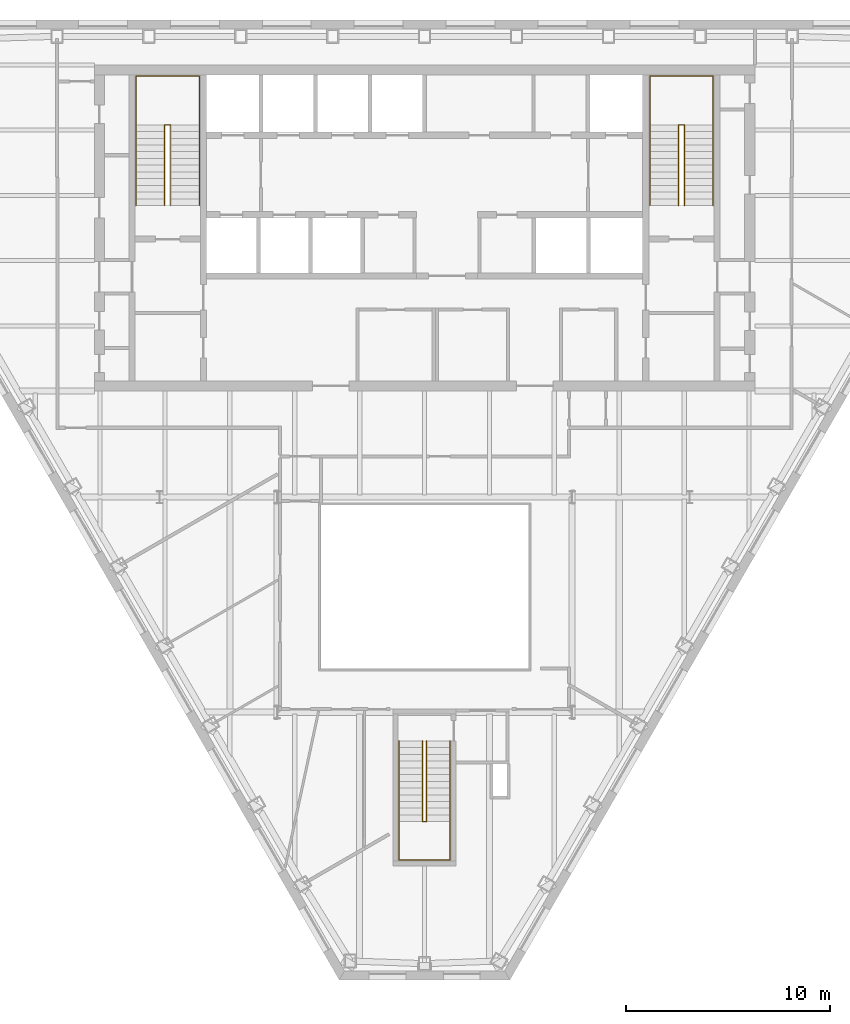
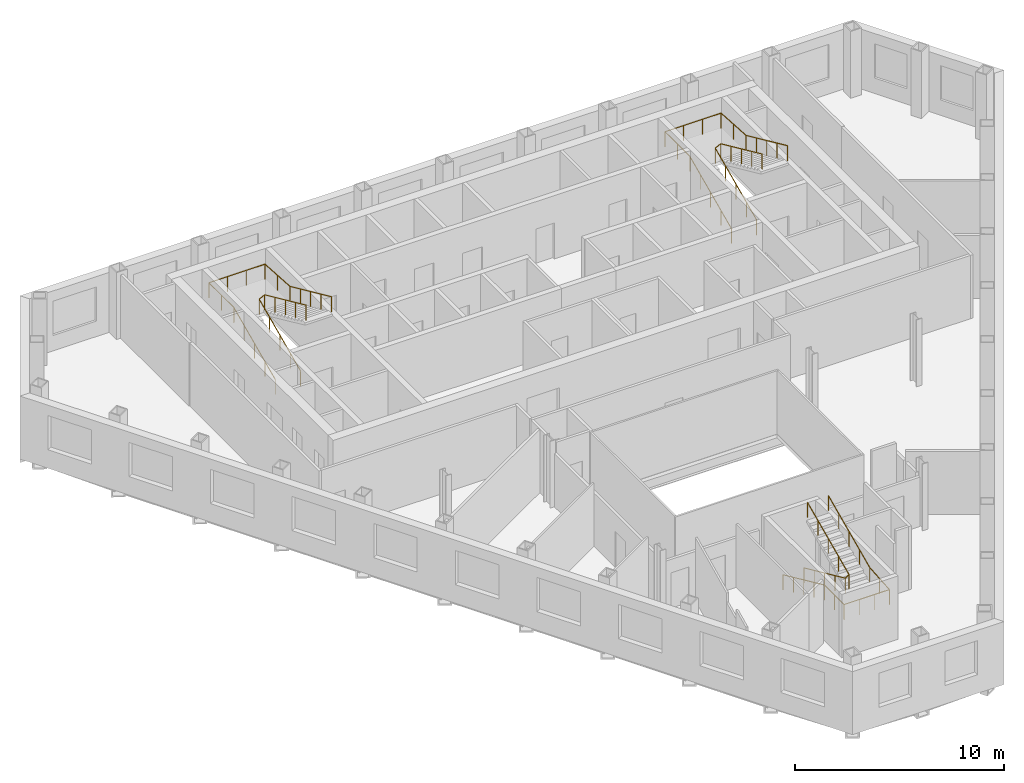
# One storey, part 11 of 11: 6 railings.
"""IFC4 building model written with IfcOpenShell, lengths in metres."""

from ifc_helpers import new_model, si_unit, direction, frame, origin, origin_2d, place, context, subcontext, project, spatial, circle, extrude, material, type_object, element, save


model = new_model("IFC4")

# Units and contexts
model_context = context("Model", 3, precision=1e-05, world=origin(), true_north=direction((0.0, 1.0)))
body_context = subcontext(model_context, "Body", "Model", "MODEL_VIEW")
ifc_project = project(units=[si_unit("LENGTHUNIT", "METRE"), si_unit("AREAUNIT", "SQUARE_METRE"), si_unit("VOLUMEUNIT", "CUBIC_METRE"), si_unit("PLANEANGLEUNIT", "RADIAN"), si_unit("MASSUNIT", "GRAM", prefix="KILO")], contexts=[model_context])

# Site, building, storey
site_placement = place(None, origin())
site = spatial("IfcSite", under=ifc_project, at=site_placement, CompositionType="ELEMENT")
building_placement = place(site_placement, origin())
building = spatial("IfcBuilding", under=site, at=building_placement, Name="Njiva Tower", CompositionType="ELEMENT")
storey_placement = place(building_placement, frame((0.0, 0.0, 163.2)))
storey = spatial("IfcBuildingStorey", under=building, at=storey_placement, Name="L35", CompositionType="ELEMENT", Elevation=163.2)

# Railings
ifc_material = material(Name="Stainless steel", Category="steel")
railing_type = type_object("IfcRailingType", Name="RL1 Stair handrail 900", PredefinedType="HANDRAIL", material=ifc_material)
railing_1_placement = place(storey_placement, frame((-14.15, 11.1, 0.15)))
element("IfcRailing", 1, at=railing_1_placement, inside=storey, type_object=railing_type, Name="Stair A handrail", PredefinedType="HANDRAIL", context=body_context, shape_type="SweptSolid", body=[
    extrude(circle(Radius=0.024, at=origin_2d()), frame((0.0, 0.0, 0.876), z_axis=(0.0, 0.910366477463, 0.413802944301), x_axis=(-1.0, 0.0, 0.0)), (0.0, 0.0, 1.0), 4.3499),
    extrude(circle(Radius=0.024, at=origin_2d()), frame((0.0, 3.96, 2.676), z_axis=(0.0, 1.0, 0.0), x_axis=(-1.0, 0.0, 0.0)), (0.0, 0.0, 1.0), 2.39),
    extrude(circle(Radius=0.024, at=origin_2d()), frame((0.0, 6.35, 2.676), z_axis=(1.0, 0.0, 0.0), x_axis=(0.0, 1.0, 0.0)), (0.0, 0.0, 1.0), 3.1),
    extrude(circle(Radius=0.024, at=origin_2d()), frame((3.1, 6.35, 2.676), z_axis=(0.0, -0.998036296047, 0.062638261258), x_axis=(1.0, 0.0, 0.0)), (0.0, 0.0, 1.0), 2.3947),
    extrude(circle(Radius=0.024, at=origin_2d()), frame((3.1, 3.96, 2.826), z_axis=(0.0, -0.910366477463, 0.413802944301), x_axis=(1.0, 0.0, 0.0)), (0.0, 0.0, 1.0), 4.3499),
    extrude(circle(Radius=0.021, at=origin_2d()), origin(), (0.0, 0.0, 1.0), 0.852),
    extrude(circle(Radius=0.021, at=origin_2d()), frame((0.0, 0.99, 0.45)), (0.0, 0.0, 1.0), 0.852),
    extrude(circle(Radius=0.021, at=origin_2d()), frame((0.0, 1.98, 0.9)), (0.0, 0.0, 1.0), 0.852),
    extrude(circle(Radius=0.021, at=origin_2d()), frame((0.0, 2.97, 1.35)), (0.0, 0.0, 1.0), 0.852),
    extrude(circle(Radius=0.021, at=origin_2d()), frame((0.0, 3.96, 1.8)), (0.0, 0.0, 1.0), 0.852),
    extrude(circle(Radius=0.021, at=origin_2d()), frame((0.0, 5.155, 1.8)), (0.0, 0.0, 1.0), 0.852),
    extrude(circle(Radius=0.021, at=origin_2d()), frame((0.0, 6.35, 1.8)), (0.0, 0.0, 1.0), 0.852),
    extrude(circle(Radius=0.021, at=origin_2d()), frame((1.0333, 6.35, 1.8)), (0.0, 0.0, 1.0), 0.852),
    extrude(circle(Radius=0.021, at=origin_2d()), frame((2.0667, 6.35, 1.8)), (0.0, 0.0, 1.0), 0.852),
    extrude(circle(Radius=0.021, at=origin_2d()), frame((3.1, 6.35, 1.8)), (0.0, 0.0, 1.0), 0.852),
    extrude(circle(Radius=0.021, at=origin_2d()), frame((3.1, 5.155, 1.875)), (0.0, 0.0, 1.0), 0.852),
    extrude(circle(Radius=0.021, at=origin_2d()), frame((3.1, 3.96, 1.95)), (0.0, 0.0, 1.0), 0.852),
    extrude(circle(Radius=0.021, at=origin_2d()), frame((3.1, 2.97, 2.4)), (0.0, 0.0, 1.0), 0.852),
    extrude(circle(Radius=0.021, at=origin_2d()), frame((3.1, 1.98, 2.85)), (0.0, 0.0, 1.0), 0.852),
    extrude(circle(Radius=0.021, at=origin_2d()), frame((3.1, 0.99, 3.3)), (0.0, 0.0, 1.0), 0.852),
    extrude(circle(Radius=0.021, at=origin_2d()), frame((3.1, 0.0, 3.75)), (0.0, 0.0, 1.0), 0.852),
])
railing_2_placement = place(storey_placement, frame((-12.75, 11.1, 0.15)))
element("IfcRailing", 2, at=railing_2_placement, inside=storey, type_object=railing_type, Name="Stair A handrail", PredefinedType="HANDRAIL", context=body_context, shape_type="SweptSolid", body=[
    extrude(circle(Radius=0.024, at=origin_2d()), frame((0.0, 0.0, 0.876), z_axis=(0.0, 0.910366477463, 0.413802944301), x_axis=(-1.0, 0.0, 0.0)), (0.0, 0.0, 1.0), 4.3499),
    extrude(circle(Radius=0.024, at=origin_2d()), frame((0.0, 3.96, 2.676), z_axis=(0.894427191, 0.0, 0.4472135955), x_axis=(0.0, 1.0, 0.0)), (0.0, 0.0, 1.0), 0.3354),
    extrude(circle(Radius=0.024, at=origin_2d()), frame((0.3, 3.96, 2.826), z_axis=(0.0, -0.910366477463, 0.413802944301), x_axis=(1.0, 0.0, 0.0)), (0.0, 0.0, 1.0), 4.3499),
    extrude(circle(Radius=0.021, at=origin_2d()), origin(), (0.0, 0.0, 1.0), 0.852),
    extrude(circle(Radius=0.021, at=origin_2d()), frame((0.0, 0.99, 0.45)), (0.0, 0.0, 1.0), 0.852),
    extrude(circle(Radius=0.021, at=origin_2d()), frame((0.0, 1.98, 0.9)), (0.0, 0.0, 1.0), 0.852),
    extrude(circle(Radius=0.021, at=origin_2d()), frame((0.0, 2.97, 1.35)), (0.0, 0.0, 1.0), 0.852),
    extrude(circle(Radius=0.021, at=origin_2d()), frame((0.0, 3.96, 1.8)), (0.0, 0.0, 1.0), 0.852),
    extrude(circle(Radius=0.021, at=origin_2d()), frame((0.3, 3.96, 1.95)), (0.0, 0.0, 1.0), 0.852),
    extrude(circle(Radius=0.021, at=origin_2d()), frame((0.3, 2.97, 2.4)), (0.0, 0.0, 1.0), 0.852),
    extrude(circle(Radius=0.021, at=origin_2d()), frame((0.3, 1.98, 2.85)), (0.0, 0.0, 1.0), 0.852),
    extrude(circle(Radius=0.021, at=origin_2d()), frame((0.3, 0.99, 3.3)), (0.0, 0.0, 1.0), 0.852),
    extrude(circle(Radius=0.021, at=origin_2d()), frame((0.3, 0.0, 3.75)), (0.0, 0.0, 1.0), 0.852),
])
railing_3_placement = place(storey_placement, frame((11.05, 11.1, 0.15)))
element("IfcRailing", 3, at=railing_3_placement, inside=storey, type_object=railing_type, Name="Stair B handrail", PredefinedType="HANDRAIL", context=body_context, shape_type="SweptSolid", body=[
    extrude(circle(Radius=0.024, at=origin_2d()), frame((0.0, 0.0, 0.876), z_axis=(0.0, 0.910366477463, 0.413802944301), x_axis=(-1.0, 0.0, 0.0)), (0.0, 0.0, 1.0), 4.3499),
    extrude(circle(Radius=0.024, at=origin_2d()), frame((0.0, 3.96, 2.676), z_axis=(0.0, 1.0, 0.0), x_axis=(-1.0, 0.0, 0.0)), (0.0, 0.0, 1.0), 2.39),
    extrude(circle(Radius=0.024, at=origin_2d()), frame((0.0, 6.35, 2.676), z_axis=(1.0, 0.0, 0.0), x_axis=(0.0, 1.0, 0.0)), (0.0, 0.0, 1.0), 3.1),
    extrude(circle(Radius=0.024, at=origin_2d()), frame((3.1, 6.35, 2.676), z_axis=(0.0, -0.998036296047, 0.062638261258), x_axis=(1.0, 0.0, 0.0)), (0.0, 0.0, 1.0), 2.3947),
    extrude(circle(Radius=0.024, at=origin_2d()), frame((3.1, 3.96, 2.826), z_axis=(0.0, -0.910366477463, 0.413802944301), x_axis=(1.0, 0.0, 0.0)), (0.0, 0.0, 1.0), 4.3499),
    extrude(circle(Radius=0.021, at=origin_2d()), origin(), (0.0, 0.0, 1.0), 0.852),
    extrude(circle(Radius=0.021, at=origin_2d()), frame((0.0, 0.99, 0.45)), (0.0, 0.0, 1.0), 0.852),
    extrude(circle(Radius=0.021, at=origin_2d()), frame((0.0, 1.98, 0.9)), (0.0, 0.0, 1.0), 0.852),
    extrude(circle(Radius=0.021, at=origin_2d()), frame((0.0, 2.97, 1.35)), (0.0, 0.0, 1.0), 0.852),
    extrude(circle(Radius=0.021, at=origin_2d()), frame((0.0, 3.96, 1.8)), (0.0, 0.0, 1.0), 0.852),
    extrude(circle(Radius=0.021, at=origin_2d()), frame((0.0, 5.155, 1.8)), (0.0, 0.0, 1.0), 0.852),
    extrude(circle(Radius=0.021, at=origin_2d()), frame((0.0, 6.35, 1.8)), (0.0, 0.0, 1.0), 0.852),
    extrude(circle(Radius=0.021, at=origin_2d()), frame((1.0333, 6.35, 1.8)), (0.0, 0.0, 1.0), 0.852),
    extrude(circle(Radius=0.021, at=origin_2d()), frame((2.0667, 6.35, 1.8)), (0.0, 0.0, 1.0), 0.852),
    extrude(circle(Radius=0.021, at=origin_2d()), frame((3.1, 6.35, 1.8)), (0.0, 0.0, 1.0), 0.852),
    extrude(circle(Radius=0.021, at=origin_2d()), frame((3.1, 5.155, 1.875)), (0.0, 0.0, 1.0), 0.852),
    extrude(circle(Radius=0.021, at=origin_2d()), frame((3.1, 3.96, 1.95)), (0.0, 0.0, 1.0), 0.852),
    extrude(circle(Radius=0.021, at=origin_2d()), frame((3.1, 2.97, 2.4)), (0.0, 0.0, 1.0), 0.852),
    extrude(circle(Radius=0.021, at=origin_2d()), frame((3.1, 1.98, 2.85)), (0.0, 0.0, 1.0), 0.852),
    extrude(circle(Radius=0.021, at=origin_2d()), frame((3.1, 0.99, 3.3)), (0.0, 0.0, 1.0), 0.852),
    extrude(circle(Radius=0.021, at=origin_2d()), frame((3.1, 0.0, 3.75)), (0.0, 0.0, 1.0), 0.852),
])
railing_4_placement = place(storey_placement, frame((12.45, 11.1, 0.15)))
element("IfcRailing", 4, at=railing_4_placement, inside=storey, type_object=railing_type, Name="Stair B handrail", PredefinedType="HANDRAIL", context=body_context, shape_type="SweptSolid", body=[
    extrude(circle(Radius=0.024, at=origin_2d()), frame((0.0, 0.0, 0.876), z_axis=(0.0, 0.910366477463, 0.413802944301), x_axis=(-1.0, 0.0, 0.0)), (0.0, 0.0, 1.0), 4.3499),
    extrude(circle(Radius=0.024, at=origin_2d()), frame((0.0, 3.96, 2.676), z_axis=(0.894427191, 0.0, 0.4472135955), x_axis=(0.0, 1.0, 0.0)), (0.0, 0.0, 1.0), 0.3354),
    extrude(circle(Radius=0.024, at=origin_2d()), frame((0.3, 3.96, 2.826), z_axis=(0.0, -0.910366477463, 0.413802944301), x_axis=(1.0, 0.0, 0.0)), (0.0, 0.0, 1.0), 4.3499),
    extrude(circle(Radius=0.021, at=origin_2d()), origin(), (0.0, 0.0, 1.0), 0.852),
    extrude(circle(Radius=0.021, at=origin_2d()), frame((0.0, 0.99, 0.45)), (0.0, 0.0, 1.0), 0.852),
    extrude(circle(Radius=0.021, at=origin_2d()), frame((0.0, 1.98, 0.9)), (0.0, 0.0, 1.0), 0.852),
    extrude(circle(Radius=0.021, at=origin_2d()), frame((0.0, 2.97, 1.35)), (0.0, 0.0, 1.0), 0.852),
    extrude(circle(Radius=0.021, at=origin_2d()), frame((0.0, 3.96, 1.8)), (0.0, 0.0, 1.0), 0.852),
    extrude(circle(Radius=0.021, at=origin_2d()), frame((0.3, 3.96, 1.95)), (0.0, 0.0, 1.0), 0.852),
    extrude(circle(Radius=0.021, at=origin_2d()), frame((0.3, 2.97, 2.4)), (0.0, 0.0, 1.0), 0.852),
    extrude(circle(Radius=0.021, at=origin_2d()), frame((0.3, 1.98, 2.85)), (0.0, 0.0, 1.0), 0.852),
    extrude(circle(Radius=0.021, at=origin_2d()), frame((0.3, 0.99, 3.3)), (0.0, 0.0, 1.0), 0.852),
    extrude(circle(Radius=0.021, at=origin_2d()), frame((0.3, 0.0, 3.75)), (0.0, 0.0, 1.0), 0.852),
])
railing_5_placement = place(storey_placement, frame((-1.25, -15.16, 0.15)))
element("IfcRailing", 5, at=railing_5_placement, inside=storey, type_object=railing_type, Name="Stair C handrail", PredefinedType="HANDRAIL", context=body_context, shape_type="SweptSolid", body=[
    extrude(circle(Radius=0.024, at=origin_2d()), frame((0.0, 0.0, 0.876), z_axis=(0.0, -0.910366477463, 0.413802944301), x_axis=(1.0, 0.0, 0.0)), (0.0, 0.0, 1.0), 4.3499),
    extrude(circle(Radius=0.024, at=origin_2d()), frame((0.0, -3.96, 2.676), z_axis=(0.0, -1.0, 0.0), x_axis=(1.0, 0.0, 0.0)), (0.0, 0.0, 1.0), 1.88),
    extrude(circle(Radius=0.024, at=origin_2d()), frame((0.0, -5.84, 2.676), z_axis=(1.0, 0.0, 0.0), x_axis=(0.0, 1.0, 0.0)), (0.0, 0.0, 1.0), 2.5),
    extrude(circle(Radius=0.024, at=origin_2d()), frame((2.5, -5.84, 2.676), z_axis=(0.0, 0.996832115713, 0.079534477318), x_axis=(-1.0, 0.0, 0.0)), (0.0, 0.0, 1.0), 1.886),
    extrude(circle(Radius=0.024, at=origin_2d()), frame((2.5, -3.96, 2.826), z_axis=(0.0, 0.910366477463, 0.413802944301), x_axis=(-1.0, 0.0, 0.0)), (0.0, 0.0, 1.0), 4.3499),
    extrude(circle(Radius=0.021, at=origin_2d()), origin(), (0.0, 0.0, 1.0), 0.852),
    extrude(circle(Radius=0.021, at=origin_2d()), frame((0.0, -0.99, 0.45)), (0.0, 0.0, 1.0), 0.852),
    extrude(circle(Radius=0.021, at=origin_2d()), frame((0.0, -1.98, 0.9)), (0.0, 0.0, 1.0), 0.852),
    extrude(circle(Radius=0.021, at=origin_2d()), frame((0.0, -2.97, 1.35)), (0.0, 0.0, 1.0), 0.852),
    extrude(circle(Radius=0.021, at=origin_2d()), frame((0.0, -3.96, 1.8)), (0.0, 0.0, 1.0), 0.852),
    extrude(circle(Radius=0.021, at=origin_2d()), frame((0.0, -4.9, 1.8)), (0.0, 0.0, 1.0), 0.852),
    extrude(circle(Radius=0.021, at=origin_2d()), frame((0.0, -5.84, 1.8)), (0.0, 0.0, 1.0), 0.852),
    extrude(circle(Radius=0.021, at=origin_2d()), frame((0.8333, -5.84, 1.8)), (0.0, 0.0, 1.0), 0.852),
    extrude(circle(Radius=0.021, at=origin_2d()), frame((1.6667, -5.84, 1.8)), (0.0, 0.0, 1.0), 0.852),
    extrude(circle(Radius=0.021, at=origin_2d()), frame((2.5, -5.84, 1.8)), (0.0, 0.0, 1.0), 0.852),
    extrude(circle(Radius=0.021, at=origin_2d()), frame((2.5, -4.9, 1.875)), (0.0, 0.0, 1.0), 0.852),
    extrude(circle(Radius=0.021, at=origin_2d()), frame((2.5, -3.96, 1.95)), (0.0, 0.0, 1.0), 0.852),
    extrude(circle(Radius=0.021, at=origin_2d()), frame((2.5, -2.97, 2.4)), (0.0, 0.0, 1.0), 0.852),
    extrude(circle(Radius=0.021, at=origin_2d()), frame((2.5, -1.98, 2.85)), (0.0, 0.0, 1.0), 0.852),
    extrude(circle(Radius=0.021, at=origin_2d()), frame((2.5, -0.99, 3.3)), (0.0, 0.0, 1.0), 0.852),
    extrude(circle(Radius=0.021, at=origin_2d()), frame((2.5, 0.0, 3.75)), (0.0, 0.0, 1.0), 0.852),
])
railing_6_placement = place(storey_placement, frame((-0.1, -15.16, 0.15)))
element("IfcRailing", 6, at=railing_6_placement, inside=storey, type_object=railing_type, Name="Stair C handrail", PredefinedType="HANDRAIL", context=body_context, shape_type="SweptSolid", body=[
    extrude(circle(Radius=0.024, at=origin_2d()), frame((0.0, 0.0, 0.876), z_axis=(0.0, -0.910366477463, 0.413802944301), x_axis=(1.0, 0.0, 0.0)), (0.0, 0.0, 1.0), 4.3499),
    extrude(circle(Radius=0.024, at=origin_2d()), frame((0.0, -3.96, 2.676), z_axis=(0.8, 0.0, 0.6), x_axis=(0.0, 1.0, 0.0)), (0.0, 0.0, 1.0), 0.25),
    extrude(circle(Radius=0.024, at=origin_2d()), frame((0.2, -3.96, 2.826), z_axis=(0.0, 0.910366477463, 0.413802944301), x_axis=(-1.0, 0.0, 0.0)), (0.0, 0.0, 1.0), 4.3499),
    extrude(circle(Radius=0.021, at=origin_2d()), origin(), (0.0, 0.0, 1.0), 0.852),
    extrude(circle(Radius=0.021, at=origin_2d()), frame((0.0, -0.99, 0.45)), (0.0, 0.0, 1.0), 0.852),
    extrude(circle(Radius=0.021, at=origin_2d()), frame((0.0, -1.98, 0.9)), (0.0, 0.0, 1.0), 0.852),
    extrude(circle(Radius=0.021, at=origin_2d()), frame((0.0, -2.97, 1.35)), (0.0, 0.0, 1.0), 0.852),
    extrude(circle(Radius=0.021, at=origin_2d()), frame((0.0, -3.96, 1.8)), (0.0, 0.0, 1.0), 0.852),
    extrude(circle(Radius=0.021, at=origin_2d()), frame((0.2, -3.96, 1.95)), (0.0, 0.0, 1.0), 0.852),
    extrude(circle(Radius=0.021, at=origin_2d()), frame((0.2, -2.97, 2.4)), (0.0, 0.0, 1.0), 0.852),
    extrude(circle(Radius=0.021, at=origin_2d()), frame((0.2, -1.98, 2.85)), (0.0, 0.0, 1.0), 0.852),
    extrude(circle(Radius=0.021, at=origin_2d()), frame((0.2, -0.99, 3.3)), (0.0, 0.0, 1.0), 0.852),
    extrude(circle(Radius=0.021, at=origin_2d()), frame((0.2, 0.0, 3.75)), (0.0, 0.0, 1.0), 0.852),
])

save(model, "model.ifc")
